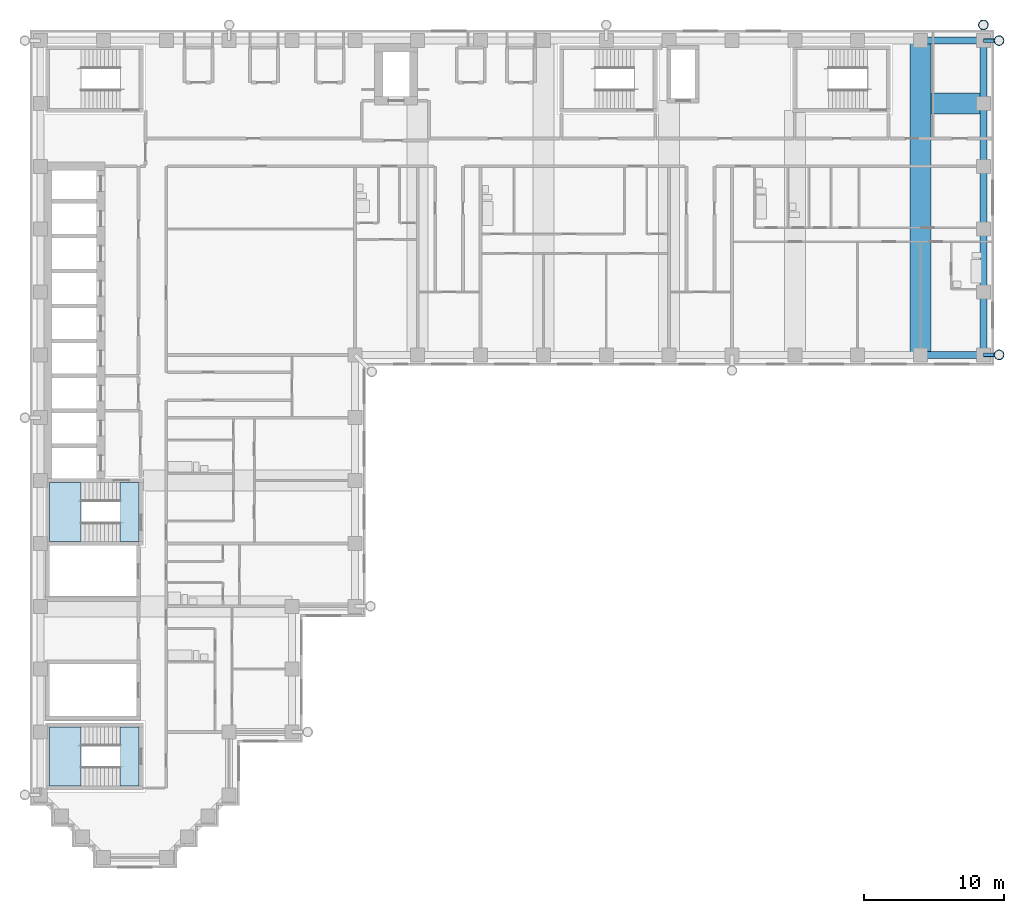
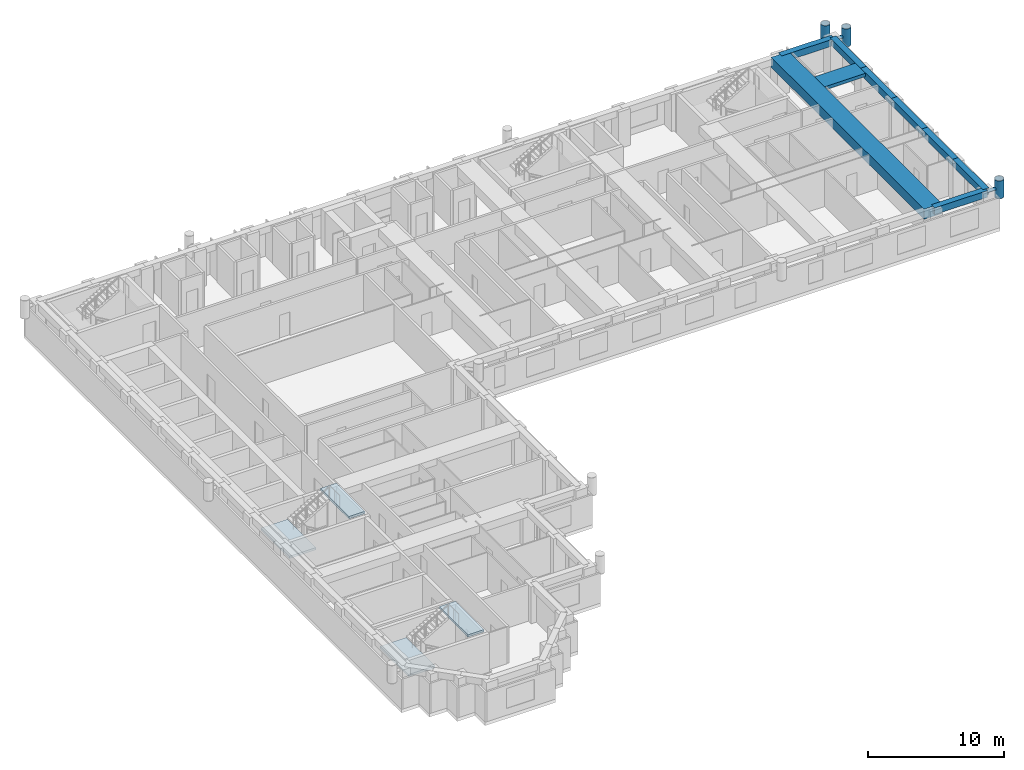
# One storey, part 3 of 15: 9 beams, 5 members, 4 slabs, 2 elements without a shape of their own.
"""IFC4 building model written with IfcOpenShell, lengths in metres."""

from ifc_helpers import new_model, si_unit, direction, frame, origin, origin_2d, place, context, subcontext, project, spatial, polyline, rectangle, hollow_circle, outline, extrude, material, layer, layer_set, material_profile, profile_set, type_object, element, aggregate, save


model = new_model("IFC4")

# Units and contexts
model_context = context("Model", 3, precision=1e-05, world=origin(), true_north=direction((0.0, 1.0)))
body_context = subcontext(model_context, "Body", "Model", "MODEL_VIEW")
ifc_project = project(units=[si_unit("LENGTHUNIT", "METRE"), si_unit("AREAUNIT", "SQUARE_METRE"), si_unit("VOLUMEUNIT", "CUBIC_METRE"), si_unit("PLANEANGLEUNIT", "RADIAN"), si_unit("MASSUNIT", "GRAM", prefix="KILO")], contexts=[model_context])

# Site, building, storey
site_placement = place(None, origin())
site = spatial("IfcSite", under=ifc_project, at=site_placement, CompositionType="ELEMENT")
building_placement = place(site_placement, origin())
building = spatial("IfcBuilding", under=site, at=building_placement, Name="Firuza Court", CompositionType="ELEMENT")
storey_placement = place(building_placement, frame((0.0, 0.0, 137.60009765625)))
storey = spatial("IfcBuildingStorey", under=building, at=storey_placement, Name="L34", CompositionType="ELEMENT", Elevation=137.60009765625)

# Beams
ifc_material_1 = material(Name="Concrete C40/50", Category="concrete")
ifc_material_profile_1 = material_profile(ifc_material_1, rectangle(XDim=1.5, YDim=0.300048828125, at=origin_2d()), Name="RC 1500x300")
ifc_profile_set_1 = profile_set([ifc_material_profile_1], Name="Concrete C40/50")
beam_type_1 = type_object("IfcBeamType", Name="Band beam RC 1500x300 C40/50", PredefinedType="BEAM", material=ifc_profile_set_1)
beam_1_placement = place(storey_placement, frame((67.5, 54.0, 3.14990234375), z_axis=(-1.0, 0.0, 0.0), x_axis=(0.0, -1.0, 0.0)))
element("IfcBeam", 1, at=beam_1_placement, inside=storey, type_object=beam_type_1, Name="Band beam FB6 level L35", PredefinedType="BEAM", context=body_context, shape_type="SweptSolid", body=[
    extrude(rectangle(XDim=1.5, YDim=0.300048828125, at=origin_2d()), origin(), (0.0, 0.0, 1.0), 3.75),
])
ifc_material_2 = material(Name="Concrete C40/50", Category="concrete")
ifc_material_profile_2 = material_profile(ifc_material_2, rectangle(XDim=1.5, YDim=0.89990234375, at=origin_2d()), Name="RC 1500x900")
ifc_profile_set_2 = profile_set([ifc_material_profile_2], Name="Concrete C40/50")
beam_type_2 = type_object("IfcBeamType", Name="Band beam RC 1500x900 C40/50", PredefinedType="BEAM", material=ifc_profile_set_2)
beam_2_placement = place(storey_placement, frame((63.0, 36.0, 2.849853515625), z_axis=(0.0, 1.0, 0.0), x_axis=(-1.0, 0.0, 0.0)))
element("IfcBeam", 2, at=beam_2_placement, inside=storey, type_object=beam_type_2, Name="Band beam FB2 level L35", PredefinedType="BEAM", context=body_context, shape_type="SweptSolid", body=[
    extrude(rectangle(XDim=1.5, YDim=0.89990234375, at=origin_2d()), origin(), (0.0, 0.0, 1.0), 22.5),
])

# Members
ifc_material_3 = material(Name="Steel S355", Category="steel")
ifc_material_profile_3 = material_profile(ifc_material_3, hollow_circle(Radius=0.35546875, WallThickness=0.030029296875, at=origin_2d()), Name="CHS 711x30")
ifc_profile_set_3 = profile_set([ifc_material_profile_3], Name="Steel S355")
member_type_1 = type_object("IfcMemberType", Name="Diagrid node CHS 711x30 S355", PredefinedType="USERDEFINED", material=ifc_profile_set_3)
for number, where, z_axis, x_axis, name in (
    (3, (67.5, 59.6201171875, 2.25), (0.0, 0.0, 1.0), (1.0, 0.0, 0.0), "Diagrid node level L34"),
    (4, (68.6201171875, 36.0, 2.25), (0.0, 0.0, 1.0), (1.0, 0.0, 0.0), "Diagrid node level L34"),
    (5, (68.6201171875, 58.5, 2.25), (0.0, 0.0, 1.0), (1.0, 0.0, 0.0), "Diagrid node level L34"),
):
    element("IfcMember", number, at=place(storey_placement, frame(where, z_axis=z_axis, x_axis=x_axis)), inside=storey, type_object=member_type_1, Name=name, ObjectType="DIAGRID NODE", PredefinedType="USERDEFINED", context=body_context, shape_type="SweptSolid", body=[
        extrude(hollow_circle(Radius=0.35546875, WallThickness=0.030029296875, at=origin_2d()), origin(), (0.0, 0.0, 1.0), 1.599853515625),
    ])
ifc_material_4 = material(Name="Steel S355", Category="steel")
ifc_material_profile_4 = material_profile(ifc_material_4, hollow_circle(Radius=0.136474609375, WallThickness=0.012451171875, at=origin_2d()), Name="CHS 273x12.5")
ifc_profile_set_4 = profile_set([ifc_material_profile_4], Name="Steel S355")
member_type_2 = type_object("IfcMemberType", Name="Diagrid tie CHS 273x12.5 S355", PredefinedType="STRUT", material=ifc_profile_set_4)
for number, where, z_axis, x_axis, name in (
    (6, (67.5, 36.0, 3.0498046875), (1.0, 0.0, 0.0), (0.0, 1.0, 0.0), "Diagrid tie level L35"),
    (7, (67.5, 58.5, 3.0498046875), (1.0, 0.0, 0.0), (0.0, 1.0, 0.0), "Diagrid tie level L35"),
):
    element("IfcMember", number, at=place(storey_placement, frame(where, z_axis=z_axis, x_axis=x_axis)), inside=storey, type_object=member_type_2, Name=name, PredefinedType="STRUT", context=body_context, shape_type="SweptSolid", body=[
        extrude(hollow_circle(Radius=0.136474609375, WallThickness=0.012451171875, at=origin_2d()), origin(), (0.0, 0.0, 1.0), 1.1201171875),
    ])

# Beams
ifc_material_5 = material(Name="Concrete C40/50", Category="concrete")
ifc_material_profile_5 = material_profile(ifc_material_5, rectangle(XDim=0.5, YDim=0.60009765625, at=origin_2d()), Name="RC 500x600")
ifc_profile_set_5 = profile_set([ifc_material_profile_5], Name="Concrete C40/50")
beam_type_3 = type_object("IfcBeamType", Name="Spandrel beam RC 500x600 C40/50", PredefinedType="BEAM", material=ifc_profile_set_5)
for number, where, z_axis, x_axis, name in (
    (8, (63.0, 36.0, 3.0), (1.0, 0.0, 0.0), (0.0, 1.0, 0.0), "Spandrel beam SP13 level L35"),
    (9, (67.5, 36.0, 3.0), (0.0, 1.0, 0.0), (-1.0, 0.0, 0.0), "Spandrel beam SP13 level L35"),
    (10, (67.5, 40.5, 3.0), (0.0, 1.0, 0.0), (-1.0, 0.0, 0.0), "Spandrel beam SP13 level L35"),
    (11, (67.5, 45.0, 3.0), (0.0, 1.0, 0.0), (-1.0, 0.0, 0.0), "Spandrel beam SP13 level L35"),
    (12, (67.5, 49.5, 3.0), (0.0, 1.0, 0.0), (-1.0, 0.0, 0.0), "Spandrel beam SP13 level L35"),
    (13, (67.5, 54.0, 3.0), (0.0, 1.0, 0.0), (-1.0, 0.0, 0.0), "Spandrel beam SP13 level L35"),
    (14, (67.5, 58.5, 3.0), (-1.0, 0.0, 0.0), (0.0, -1.0, 0.0), "Spandrel beam SP13 level L35"),
):
    element("IfcBeam", number, at=place(storey_placement, frame(where, z_axis=z_axis, x_axis=x_axis)), inside=storey, type_object=beam_type_3, Name=name, PredefinedType="BEAM", context=body_context, shape_type="SweptSolid", body=[
        extrude(rectangle(XDim=0.5, YDim=0.60009765625, at=origin_2d()), origin(), (0.0, 0.0, 1.0), 4.5),
    ])

# Stair, slabs
ifc_material_6 = material(Name="Concrete C40/50 precast", Category="concrete")
stair_type = type_object("IfcStairType", Name="Stair 1350 x 3600 2 flights", PredefinedType="HALF_TURN_STAIR", material=ifc_material_6)
stair_1_placement = place(storey_placement, origin())
stair_1 = element("IfcStair", 15, at=stair_1_placement, inside=storey, type_object=stair_type, Name="Stair 2 L34", PredefinedType="HALF_TURN_STAIR")
ifc_material_7 = material(Name="Concrete C40/50 precast", Category="concrete")
ifc_layer = layer(ifc_material_7, 0.199951171875)
ifc_layer_set = layer_set([ifc_layer], Name="Concrete C40/50 precast")
slab_type = type_object("IfcSlabType", Name="Stair landing 200", PredefinedType="LANDING", material=ifc_layer_set)
slab_1_placement = place(storey_placement, frame((0.0, 0.0, 1.599853515625)))
slab_1 = element("IfcSlab", 16, at=slab_1_placement, type_object=slab_type, Name="S2 landing 1", PredefinedType="LANDING", context=body_context, shape_type="SweptSolid", body=[
    extrude(outline(polyline([(2.89990234375, 22.64990234375), (2.89990234375, 26.85009765625), (0.64990234375, 26.85009765625), (0.64990234375, 22.64990234375), (2.89990234375, 22.64990234375)])), origin(), (0.0, 0.0, 1.0), 0.199951171875),
])
slab_2_placement = place(storey_placement, frame((0.0, 0.0, 3.39990234375)))
slab_2 = element("IfcSlab", 17, at=slab_2_placement, type_object=slab_type, Name="S2 landing 2", PredefinedType="LANDING", context=body_context, shape_type="SweptSolid", body=[
    extrude(outline(polyline([(7.050048828125, 22.64990234375), (7.050048828125, 26.85009765625), (5.699951171875, 26.85009765625), (5.699951171875, 22.64990234375), (7.050048828125, 22.64990234375)])), origin(), (0.0, 0.0, 1.0), 0.199951171875),
])
aggregate(stair_1, [slab_1, slab_2])

stair_2_placement = place(storey_placement, origin())
stair_2 = element("IfcStair", 18, at=stair_2_placement, inside=storey, type_object=stair_type, Name="Stair 5 L34", PredefinedType="HALF_TURN_STAIR")
slab_3_placement = place(storey_placement, frame((0.0, 0.0, 1.599853515625)))
slab_3 = element("IfcSlab", 19, at=slab_3_placement, type_object=slab_type, Name="S5 landing 1", PredefinedType="LANDING", context=body_context, shape_type="SweptSolid", body=[
    extrude(outline(polyline([(2.89990234375, 5.14990234375), (2.89990234375, 9.35009765625), (0.64990234375, 9.35009765625), (0.64990234375, 5.14990234375), (2.89990234375, 5.14990234375)])), origin(), (0.0, 0.0, 1.0), 0.199951171875),
])
slab_4_placement = place(storey_placement, frame((0.0, 0.0, 3.39990234375)))
slab_4 = element("IfcSlab", 20, at=slab_4_placement, type_object=slab_type, Name="S5 landing 2", PredefinedType="LANDING", context=body_context, shape_type="SweptSolid", body=[
    extrude(outline(polyline([(7.050048828125, 5.14990234375), (7.050048828125, 9.35009765625), (5.699951171875, 9.35009765625), (5.699951171875, 5.14990234375), (7.050048828125, 5.14990234375)])), origin(), (0.0, 0.0, 1.0), 0.199951171875),
])
aggregate(stair_2, [slab_3, slab_4])

save(model, "model.ifc")
